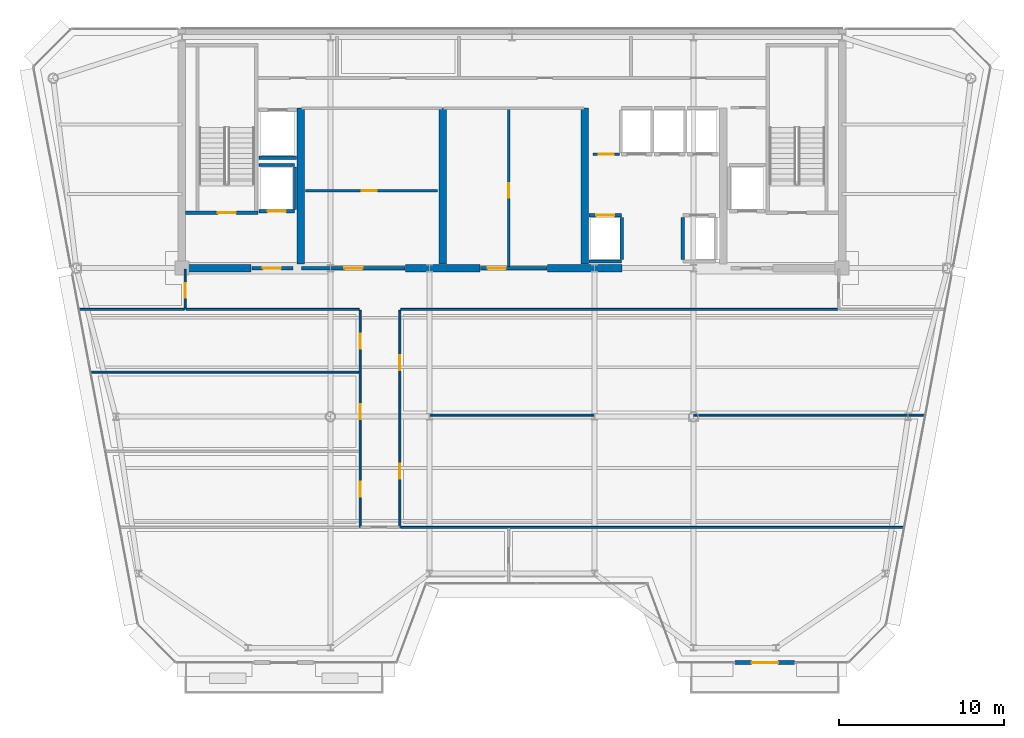
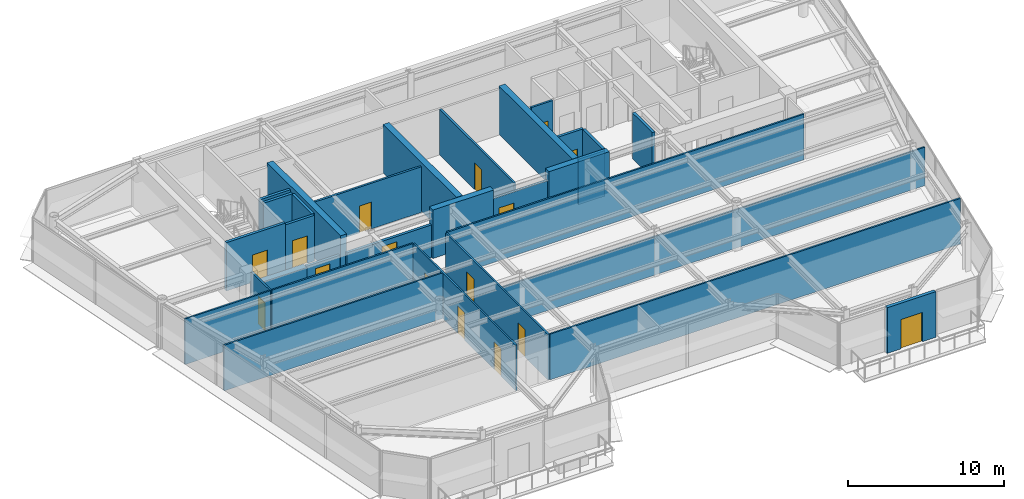
# One storey, part 11 of 20: 31 walls, 16 doors, 16 openings.
"""IFC4 building model written with IfcOpenShell, lengths in metres."""

from ifc_helpers import new_model, si_unit, direction, frame, frame_2d, origin, place, context, subcontext, project, spatial, rectangle, extrude, source, transform, mapped, material, layer, layer_set, type_object, element, fill, save


model = new_model("IFC4")

# Units and contexts
model_context = context("Model", 3, precision=1e-05, world=origin(), true_north=direction((0.0, 1.0)))
body_context = subcontext(model_context, "Body", "Model", "MODEL_VIEW")
ifc_project = project(units=[si_unit("LENGTHUNIT", "METRE"), si_unit("AREAUNIT", "SQUARE_METRE"), si_unit("VOLUMEUNIT", "CUBIC_METRE"), si_unit("PLANEANGLEUNIT", "RADIAN"), si_unit("MASSUNIT", "GRAM", prefix="KILO")], contexts=[model_context])

# Site, building, storey
site_placement = place(None, origin())
site = spatial("IfcSite", under=ifc_project, at=site_placement, CompositionType="ELEMENT")
building_placement = place(site_placement, origin())
building = spatial("IfcBuilding", under=site, at=building_placement, Name="Vaeldorn Concourse Tower", CompositionType="ELEMENT")
storey_placement = place(building_placement, frame((0.0, 0.0, 268.800048828125)))
storey = spatial("IfcBuildingStorey", under=building, at=storey_placement, Name="L69", CompositionType="ELEMENT", Elevation=268.800048828125)

# Walls
ifc_material_1 = material(Name="Concrete C50/60", Category="concrete")
ifc_layer_1 = layer(ifc_material_1, 0.449951171875)
ifc_layer_set_1 = layer_set([ifc_layer_1], Name="Concrete C50/60")
wall_type_1 = type_object("IfcWallType", Name="WL-CORE-450", PredefinedType="SHEAR", material=ifc_layer_set_1)
wall_1_placement = place(storey_placement, frame((14.2451171875, 36.5, 0.0), z_axis=(0.0, 0.0, 1.0), x_axis=(1.0, 0.0, 0.0)))
element("IfcWall", 1, at=wall_1_placement, inside=storey, type_object=wall_type_1, Name="Rear Core Shear Wall L69 S1", PredefinedType="SHEAR", context=body_context, shape_type="SweptSolid", body=[
    extrude(rectangle(XDim=3.954833984375, YDim=0.449951171875, at=frame_2d((1.9775390625, 0.0))), origin(), (0.0, 0.0, 1.0), 2.579833984375),
])
for number, where, z_axis, x_axis, name in (
    (2, (27.550048828125, 36.5, 0.0), (0.0, 0.0, 1.0), (1.0, 0.0, 0.0), "Rear Core Shear Wall L69 S2"),
    (3, (36.14990234375, 36.5, 0.0), (0.0, 0.0, 1.0), (1.0, 0.0, 0.0), "Rear Core Shear Wall L69 S3"),
):
    element("IfcWall", number, at=place(storey_placement, frame(where, z_axis=z_axis, x_axis=x_axis)), inside=storey, type_object=wall_type_1, Name=name, PredefinedType="SHEAR", context=body_context, shape_type="SweptSolid", body=[
        extrude(rectangle(XDim=4.5, YDim=0.449951171875, at=frame_2d((2.25, 0.0))), origin(), (0.0, 0.0, 1.0), 3.800048828125),
    ])
for number, where, z_axis, x_axis, name in (
    (4, (21.199951171875, 36.7451171875, 0.0), (0.0, 0.0, 1.0), (0.0, 1.0, 0.0), "Rear Core Shear Wall L69 M1"),
    (5, (29.800048828125, 36.7451171875, 0.0), (0.0, 0.0, 1.0), (0.0, 1.0, 0.0), "Rear Core Shear Wall L69 M2"),
    (6, (38.39990234375, 36.7451171875, 0.0), (0.0, 0.0, 1.0), (0.0, 1.0, 0.0), "Rear Core Shear Wall L69 M3"),
):
    element("IfcWall", number, at=place(storey_placement, frame(where, z_axis=z_axis, x_axis=x_axis)), inside=storey, type_object=wall_type_1, Name=name, PredefinedType="SHEAR", context=body_context, shape_type="SweptSolid", body=[
        extrude(rectangle(XDim=9.454833984375, YDim=0.449951171875, at=frame_2d((4.7275390625, 0.0))), origin(), (0.0, 0.0, 1.0), 3.800048828125),
    ])

# Wall, opening, door
ifc_material_2 = material(Name="Precast concrete C40/50", Category="concrete")
ifc_layer_2 = layer(ifc_material_2, 0.25)
ifc_layer_set_2 = layer_set([ifc_layer_2], Name="Precast concrete C40/50")
wall_type_2 = type_object("IfcWallType", Name="WL-EXT-TERRACE-250", PredefinedType="STANDARD", material=ifc_layer_set_2)
wall_2_placement = place(storey_placement, frame((51.1201171875, 12.60009765625, 0.0), z_axis=(0.0, 0.0, 1.0), x_axis=(-1.0, 0.0, 0.0)))
wall_2 = element("IfcWall", 7, at=wall_2_placement, inside=storey, type_object=wall_type_2, Name="Sawtooth Sky Garden Portal Wall L69-2", PredefinedType="STANDARD", context=body_context, shape_type="SweptSolid", body=[
    extrude(rectangle(XDim=3.60009765625, YDim=0.25, at=frame_2d((1.800048828125, 0.0))), origin(), (0.0, 0.0, 1.0), 3.579833984375),
])
opening_1_placement = place(wall_2_placement, frame((1.0, 0.0, 0.0)))
opening_1 = element("IfcOpeningElement", 8, at=opening_1_placement, cuts=wall_2, Name="Opening DG-1", PredefinedType="OPENING", context=body_context, shape_type="SweptSolid", body=[
    extrude(rectangle(XDim=1.60009765625, YDim=2.300048828125, at=frame_2d((0.800048828125, 1.14990234375))), frame((0.0, 0.135009765625, 0.0), z_axis=(0.0, -1.0, 0.0), x_axis=(1.0, 0.0, 0.0)), (0.0, 0.0, 1.0), 0.27001953125),
])
ifc_material_3 = material(Name="Anodised Bronze Aluminium", Category="aluminium")
door_type_1 = type_object("IfcDoorType", Name="DR-EXTERNAL-1600", OperationType="DOUBLE_DOOR_SINGLE_SWING", PredefinedType="DOOR", material=ifc_material_3)
shared_shape_1 = source(origin(), body_context, "Body", "SweptSolid", [
    extrude(rectangle(XDim=1.60009765625, YDim=2.300048828125, at=frame_2d((0.800048828125, 1.14990234375))), frame((0.0, 0.02490234375, 0.0), z_axis=(0.0, -1.0, 0.0), x_axis=(1.0, 0.0, 0.0)), (0.0, 0.0, 1.0), 0.050048828125),
])
door_1_placement = place(opening_1_placement, origin())
door_1 = element("IfcDoor", 9, at=door_1_placement, inside=storey, type_object=door_type_1, Name="Sawtooth Sky Garden Terrace Door L69-2", OperationType="DOUBLE_DOOR_SINGLE_SWING", OverallHeight=2.300048828125, OverallWidth=1.60009765625, PredefinedType="DOOR", context=body_context, shape_type="MappedRepresentation", body=[
    mapped(shared_shape_1, transform((0.0, 0.0, 0.0), scale=1.0)),
])
fill(opening_1, door_1)

# Walls
ifc_material_4 = material(Name="Gypsum Board Partition", Category="gypsum")
ifc_layer_3 = layer(ifc_material_4, 0.1201171875)
ifc_layer_set_3 = layer_set([ifc_layer_3], Name="Gypsum Board Partition")
wall_type_3 = type_object("IfcWallType", Name="WL-PART-120", PredefinedType="PARTITIONING", material=ifc_layer_set_3)
wall_3_placement = place(storey_placement, frame((14.260009765625, 34.0, 0.0), z_axis=(0.0, 0.0, 1.0), x_axis=(1.0, 0.0, 0.0)))
element("IfcWall", 10, at=wall_3_placement, inside=storey, type_object=wall_type_3, Name="Interior Wall PW-L69-C3SW", PredefinedType="PARTITIONING", context=body_context, shape_type="SweptSolid", body=[
    extrude(rectangle(XDim=10.47998046875, YDim=0.1201171875, at=frame_2d((5.239990234375, 0.0))), origin(), (0.0, 0.0, 1.0), 3.579833984375),
])
wall_4_placement = place(storey_placement, frame((27.260009765625, 34.0, 0.0), z_axis=(0.0, 0.0, 1.0), x_axis=(1.0, 0.0, 0.0)))
element("IfcWall", 11, at=wall_4_placement, inside=storey, type_object=wall_type_3, Name="Interior Wall PW-L69-C3SE", PredefinedType="PARTITIONING", context=body_context, shape_type="SweptSolid", body=[
    extrude(rectangle(XDim=26.47998046875, YDim=0.1201171875, at=frame_2d((13.239990234375, 0.0))), origin(), (0.0, 0.0, 1.0), 3.579833984375),
])

# Wall, opening, door
wall_5_placement = place(storey_placement, frame((14.199951171875, 34.0, 0.0), z_axis=(0.0, 0.0, 1.0), x_axis=(0.0, 1.0, 0.0)))
wall_5 = element("IfcWall", 12, at=wall_5_placement, inside=storey, type_object=wall_type_3, Name="Interior Wall PW-L69-C3W", PredefinedType="PARTITIONING", context=body_context, shape_type="SweptSolid", body=[
    extrude(rectangle(XDim=2.43994140625, YDim=0.1201171875, at=frame_2d((1.219970703125, 0.0))), origin(), (0.0, 0.0, 1.0), 3.579833984375),
])
opening_2_placement = place(wall_5_placement, frame((0.699951171875, 0.0, 0.0)))
opening_2 = element("IfcOpeningElement", 13, at=opening_2_placement, cuts=wall_5, Name="Opening D-03", PredefinedType="OPENING", context=body_context, shape_type="SweptSolid", body=[
    extrude(rectangle(XDim=0.89990234375, YDim=2.14990234375, at=frame_2d((0.449951171875, 1.074951171875))), frame((0.0, 0.070068359375, 0.0), z_axis=(0.0, -1.0, 0.0), x_axis=(1.0, 0.0, 0.0)), (0.0, 0.0, 1.0), 0.14013671875),
])
ifc_material_5 = material(Name="Acoustic Bronze-Framed Glass Door", Category="glass")
door_type_2 = type_object("IfcDoorType", Name="DR-INT-900", OperationType="NOTDEFINED", PredefinedType="DOOR", material=ifc_material_5)
shared_shape_2 = source(origin(), body_context, "Body", "SweptSolid", [
    extrude(rectangle(XDim=0.89990234375, YDim=2.14990234375, at=frame_2d((0.449951171875, 1.074951171875))), frame((0.0, 0.02490234375, 0.0), z_axis=(0.0, -1.0, 0.0), x_axis=(1.0, 0.0, 0.0)), (0.0, 0.0, 1.0), 0.050048828125),
])
door_2_placement = place(opening_2_placement, origin())
door_2 = element("IfcDoor", 14, at=door_2_placement, inside=storey, type_object=door_type_2, Name="Interior Door DR-L69-Z3NW", OperationType="SINGLE_SWING_LEFT", OverallHeight=2.14990234375, OverallWidth=0.89990234375, PredefinedType="DOOR", context=body_context, shape_type="MappedRepresentation", body=[
    mapped(shared_shape_2, transform((0.0, 0.0, 0.0), scale=1.0)),
])
fill(opening_2, door_2)

# Wall, openings, doors
wall_6_placement = place(storey_placement, frame((24.800048828125, 20.800048828125, 0.0), z_axis=(0.0, 0.0, 1.0), x_axis=(0.0, 1.0, 0.0)))
wall_6 = element("IfcWall", 15, at=wall_6_placement, inside=storey, type_object=wall_type_3, Name="Interior Wall PW-L69-CSPW", PredefinedType="PARTITIONING", context=body_context, shape_type="SweptSolid", body=[
    extrude(rectangle(XDim=13.139892578125, YDim=0.1201171875, at=frame_2d((6.56982421875, 0.0))), origin(), (0.0, 0.0, 1.0), 3.579833984375),
])
opening_3_placement = place(wall_6_placement, frame((1.85009765625, 0.0, 0.0)))
opening_3 = element("IfcOpeningElement", 16, at=opening_3_placement, cuts=wall_6, Name="Opening D-03", PredefinedType="OPENING", context=body_context, shape_type="SweptSolid", body=[
    extrude(rectangle(XDim=0.89990234375, YDim=2.14990234375, at=frame_2d((0.449951171875, 1.074951171875))), frame((0.0, 0.070068359375, 0.0), z_axis=(0.0, -1.0, 0.0), x_axis=(1.0, 0.0, 0.0)), (0.0, 0.0, 1.0), 0.14013671875),
])
opening_4_placement = place(wall_6_placement, frame((6.550048828125, 0.0, 0.0)))
opening_4 = element("IfcOpeningElement", 17, at=opening_4_placement, cuts=wall_6, Name="Opening D-03", PredefinedType="OPENING", context=body_context, shape_type="SweptSolid", body=[
    extrude(rectangle(XDim=0.89990234375, YDim=2.14990234375, at=frame_2d((0.449951171875, 1.074951171875))), frame((0.0, 0.070068359375, 0.0), z_axis=(0.0, -1.0, 0.0), x_axis=(1.0, 0.0, 0.0)), (0.0, 0.0, 1.0), 0.14013671875),
])
opening_5_placement = place(wall_6_placement, frame((10.820068359375, 0.0, 0.0)))
opening_5 = element("IfcOpeningElement", 18, at=opening_5_placement, cuts=wall_6, Name="Opening D-03", PredefinedType="OPENING", context=body_context, shape_type="SweptSolid", body=[
    extrude(rectangle(XDim=0.89990234375, YDim=2.14990234375, at=frame_2d((0.449951171875, 1.074951171875))), frame((0.0, 0.070068359375, 0.0), z_axis=(0.0, -1.0, 0.0), x_axis=(1.0, 0.0, 0.0)), (0.0, 0.0, 1.0), 0.14013671875),
])
door_3_placement = place(opening_3_placement, origin())
door_3 = element("IfcDoor", 19, at=door_3_placement, inside=storey, type_object=door_type_2, Name="Interior Door DR-L69-Z3W1", OperationType="SINGLE_SWING_LEFT", OverallHeight=2.14990234375, OverallWidth=0.89990234375, PredefinedType="DOOR", context=body_context, shape_type="MappedRepresentation", body=[
    mapped(shared_shape_2, transform((0.0, 0.0, 0.0), scale=1.0)),
])
fill(opening_3, door_3)
door_4_placement = place(opening_4_placement, origin())
door_4 = element("IfcDoor", 20, at=door_4_placement, inside=storey, type_object=door_type_2, Name="Interior Door DR-L69-Z3W2", OperationType="SINGLE_SWING_RIGHT", OverallHeight=2.14990234375, OverallWidth=0.89990234375, PredefinedType="DOOR", context=body_context, shape_type="MappedRepresentation", body=[
    mapped(shared_shape_2, transform((0.0, 0.0, 0.0), scale=1.0)),
])
fill(opening_4, door_4)
door_5_placement = place(opening_5_placement, origin())
door_5 = element("IfcDoor", 21, at=door_5_placement, inside=storey, type_object=door_type_2, Name="Interior Door DR-L69-Z3W3", OperationType="SINGLE_SWING_LEFT", OverallHeight=2.14990234375, OverallWidth=0.89990234375, PredefinedType="DOOR", context=body_context, shape_type="MappedRepresentation", body=[
    mapped(shared_shape_2, transform((0.0, 0.0, 0.0), scale=1.0)),
])
fill(opening_5, door_5)

wall_7_placement = place(storey_placement, frame((27.199951171875, 20.800048828125, 0.0), z_axis=(0.0, 0.0, 1.0), x_axis=(0.0, 1.0, 0.0)))
wall_7 = element("IfcWall", 22, at=wall_7_placement, inside=storey, type_object=wall_type_3, Name="Interior Wall PW-L69-CSPE", PredefinedType="PARTITIONING", context=body_context, shape_type="SweptSolid", body=[
    extrude(rectangle(XDim=13.139892578125, YDim=0.1201171875, at=frame_2d((6.56982421875, 0.0))), origin(), (0.0, 0.0, 1.0), 3.579833984375),
])
opening_6_placement = place(wall_7_placement, frame((2.949951171875, 0.0, 0.0)))
opening_6 = element("IfcOpeningElement", 23, at=opening_6_placement, cuts=wall_7, Name="Opening D-03", PredefinedType="OPENING", context=body_context, shape_type="SweptSolid", body=[
    extrude(rectangle(XDim=0.89990234375, YDim=2.14990234375, at=frame_2d((0.449951171875, 1.074951171875))), frame((0.0, 0.070068359375, 0.0), z_axis=(0.0, -1.0, 0.0), x_axis=(1.0, 0.0, 0.0)), (0.0, 0.0, 1.0), 0.14013671875),
])
opening_7_placement = place(wall_7_placement, frame((9.52001953125, 0.0, 0.0)))
opening_7 = element("IfcOpeningElement", 24, at=opening_7_placement, cuts=wall_7, Name="Opening D-03", PredefinedType="OPENING", context=body_context, shape_type="SweptSolid", body=[
    extrude(rectangle(XDim=0.89990234375, YDim=2.14990234375, at=frame_2d((0.449951171875, 1.074951171875))), frame((0.0, 0.070068359375, 0.0), z_axis=(0.0, -1.0, 0.0), x_axis=(1.0, 0.0, 0.0)), (0.0, 0.0, 1.0), 0.14013671875),
])
door_6_placement = place(opening_6_placement, origin())
door_6 = element("IfcDoor", 25, at=door_6_placement, inside=storey, type_object=door_type_2, Name="Interior Door DR-L69-Z3E1", OperationType="SINGLE_SWING_RIGHT", OverallHeight=2.14990234375, OverallWidth=0.89990234375, PredefinedType="DOOR", context=body_context, shape_type="MappedRepresentation", body=[
    mapped(shared_shape_2, transform((0.0, 0.0, 0.0), scale=1.0)),
])
fill(opening_6, door_6)
door_7_placement = place(opening_7_placement, origin())
door_7 = element("IfcDoor", 26, at=door_7_placement, inside=storey, type_object=door_type_2, Name="Interior Door DR-L69-Z3E2", OperationType="SINGLE_SWING_LEFT", OverallHeight=2.14990234375, OverallWidth=0.89990234375, PredefinedType="DOOR", context=body_context, shape_type="MappedRepresentation", body=[
    mapped(shared_shape_2, transform((0.0, 0.0, 0.0), scale=1.0)),
])
fill(opening_7, door_7)

# Walls
wall_8_placement = place(storey_placement, frame((7.795654296875, 34.0, 0.0), z_axis=(0.0, 0.0, 1.0), x_axis=(1.0, 0.0, 0.0)))
element("IfcWall", 27, at=wall_8_placement, inside=storey, type_object=wall_type_3, Name="Interior Wall PW-L69-Z3NWB", PredefinedType="PARTITIONING", context=body_context, shape_type="SweptSolid", body=[
    extrude(rectangle(XDim=6.34423828125, YDim=0.1201171875, at=frame_2d((3.172119140625, 0.0))), origin(), (0.0, 0.0, 1.0), 3.579833984375),
])
wall_9_placement = place(storey_placement, frame((8.5078125, 30.199951171875, 0.0), z_axis=(0.0, 0.0, 1.0), x_axis=(1.0, 0.0, 0.0)))
element("IfcWall", 28, at=wall_9_placement, inside=storey, type_object=wall_type_3, Name="Interior Wall PW-L69-Z3WY2", PredefinedType="PARTITIONING", context=body_context, shape_type="SweptSolid", body=[
    extrude(rectangle(XDim=16.232177734375, YDim=0.1201171875, at=frame_2d((8.1162109375, 0.0))), origin(), (0.0, 0.0, 1.0), 3.579833984375),
])
wall_10_placement = place(storey_placement, frame((27.260009765625, 27.60009765625, 0.0), z_axis=(0.0, 0.0, 1.0), x_axis=(1.0, 0.0, 0.0)))
element("IfcWall", 29, at=wall_10_placement, inside=storey, type_object=wall_type_3, Name="Interior Wall PW-L69-Z3EY1", PredefinedType="PARTITIONING", context=body_context, shape_type="SweptSolid", body=[
    extrude(rectangle(XDim=31.74462890625, YDim=0.1201171875, at=frame_2d((15.872314453125, 0.0))), origin(), (0.0, 0.0, 1.0), 3.02001953125),
])
wall_11_placement = place(storey_placement, frame((27.260009765625, 20.800048828125, 0.0), z_axis=(0.0, 0.0, 1.0), x_axis=(1.0, 0.0, 0.0)))
element("IfcWall", 30, at=wall_11_placement, inside=storey, type_object=wall_type_3, Name="Interior Wall PW-L69-Z3SEL", PredefinedType="PARTITIONING", context=body_context, shape_type="SweptSolid", body=[
    extrude(rectangle(XDim=30.469970703125, YDim=0.1201171875, at=frame_2d((15.23486328125, 0.0))), origin(), (0.0, 0.0, 1.0), 3.579833984375),
])

# Wall, opening, door
ifc_layer_4 = layer(ifc_material_4, 0.14990234375)
ifc_layer_set_4 = layer_set([ifc_layer_4], Name="Gypsum Board Partition")
wall_type_4 = type_object("IfcWallType", Name="WL-PART-150", PredefinedType="PARTITIONING", material=ifc_layer_set_4)
wall_12_placement = place(storey_placement, frame((21.5, 41.199951171875, 0.0), z_axis=(0.0, 0.0, 1.0), x_axis=(1.0, 0.0, 0.0)))
wall_12 = element("IfcWall", 31, at=wall_12_placement, inside=storey, type_object=wall_type_4, Name="Interior Wall CW-L69-R1M", PredefinedType="PARTITIONING", context=body_context, shape_type="SweptSolid", body=[
    extrude(rectangle(XDim=8.0, YDim=0.14990234375, at=frame_2d((4.0, 0.0))), origin(), (0.0, 0.0, 1.0), 3.579833984375),
])
opening_8_placement = place(wall_12_placement, frame((3.39990234375, 0.0, 0.0)))
opening_8 = element("IfcOpeningElement", 32, at=opening_8_placement, cuts=wall_12, Name="Opening D-02", PredefinedType="OPENING", context=body_context, shape_type="SweptSolid", body=[
    extrude(rectangle(XDim=0.89990234375, YDim=2.10009765625, at=frame_2d((0.449951171875, 1.050048828125))), frame((0.0, 0.0849609375, 0.0), z_axis=(0.0, -1.0, 0.0), x_axis=(1.0, 0.0, 0.0)), (0.0, 0.0, 1.0), 0.169921875),
])
ifc_material_6 = material(Name="Fire-Rated Timber Leaf", Category="wood")
door_type_3 = type_object("IfcDoorType", Name="DR-FD30-900", OperationType="NOTDEFINED", PredefinedType="DOOR", material=ifc_material_6)
shared_shape_3 = source(origin(), body_context, "Body", "SweptSolid", [
    extrude(rectangle(XDim=0.89990234375, YDim=2.10009765625, at=frame_2d((0.449951171875, 1.050048828125))), frame((0.0, 0.02490234375, 0.0), z_axis=(0.0, -1.0, 0.0), x_axis=(1.0, 0.0, 0.0)), (0.0, 0.0, 1.0), 0.050048828125),
])
door_8_placement = place(opening_8_placement, origin())
door_8 = element("IfcDoor", 33, at=door_8_placement, inside=storey, type_object=door_type_3, Name="Interior Door DR-L69-R1M", OperationType="SINGLE_SWING_RIGHT", OverallHeight=2.10009765625, OverallWidth=0.89990234375, PredefinedType="DOOR", context=body_context, shape_type="MappedRepresentation", body=[
    mapped(shared_shape_3, transform((0.0, 0.0, 0.0), scale=1.0)),
])
fill(opening_8, door_8)

wall_13_placement = place(storey_placement, frame((33.800048828125, 36.56005859375, 0.0), z_axis=(0.0, 0.0, 1.0), x_axis=(0.0, 1.0, 0.0)))
wall_13 = element("IfcWall", 34, at=wall_13_placement, inside=storey, type_object=wall_type_4, Name="Interior Wall CW-L69-R2M", PredefinedType="PARTITIONING", context=body_context, shape_type="SweptSolid", body=[
    extrude(rectangle(XDim=9.579833984375, YDim=0.14990234375, at=frame_2d((4.7900390625, 0.0))), origin(), (0.0, 0.0, 1.0), 3.579833984375),
])
opening_9_placement = place(wall_13_placement, frame((4.199951171875, 0.0, 0.0)))
opening_9 = element("IfcOpeningElement", 35, at=opening_9_placement, cuts=wall_13, Name="Opening D-02", PredefinedType="OPENING", context=body_context, shape_type="SweptSolid", body=[
    extrude(rectangle(XDim=0.89990234375, YDim=2.10009765625, at=frame_2d((0.449951171875, 1.050048828125))), frame((0.0, 0.0849609375, 0.0), z_axis=(0.0, -1.0, 0.0), x_axis=(1.0, 0.0, 0.0)), (0.0, 0.0, 1.0), 0.169921875),
])
door_9_placement = place(opening_9_placement, origin())
door_9 = element("IfcDoor", 36, at=door_9_placement, inside=storey, type_object=door_type_3, Name="Interior Door DR-L69-R2E", OperationType="SINGLE_SWING_RIGHT", OverallHeight=2.10009765625, OverallWidth=0.89990234375, PredefinedType="DOOR", context=body_context, shape_type="MappedRepresentation", body=[
    mapped(shared_shape_3, transform((0.0, 0.0, 0.0), scale=1.0)),
])
fill(opening_9, door_9)

wall_14_placement = place(storey_placement, frame((38.919921875, 43.39990234375, 0.0), z_axis=(0.0, 0.0, 1.0), x_axis=(1.0, 0.0, 0.0)))
wall_14 = element("IfcWall", 37, at=wall_14_placement, inside=storey, type_object=wall_type_4, Name="Interior Wall CW-L69-CCLINK", PredefinedType="PARTITIONING", context=body_context, shape_type="SweptSolid", body=[
    extrude(rectangle(XDim=1.60009765625, YDim=0.14990234375, at=frame_2d((0.800048828125, 0.0))), origin(), (0.0, 0.0, 1.0), 3.579833984375),
])
opening_10_placement = place(wall_14_placement, frame((0.35009765625, 0.0, 0.0)))
opening_10 = element("IfcOpeningElement", 38, at=opening_10_placement, cuts=wall_14, Name="Opening D-02", PredefinedType="OPENING", context=body_context, shape_type="SweptSolid", body=[
    extrude(rectangle(XDim=0.89990234375, YDim=2.10009765625, at=frame_2d((0.449951171875, 1.050048828125))), frame((0.0, 0.0849609375, 0.0), z_axis=(0.0, -1.0, 0.0), x_axis=(1.0, 0.0, 0.0)), (0.0, 0.0, 1.0), 0.169921875),
])
door_10_placement = place(opening_10_placement, origin())
door_10 = element("IfcDoor", 39, at=door_10_placement, inside=storey, type_object=door_type_3, Name="Interior Door DR-L69-CCLINK", OperationType="SINGLE_SWING_LEFT", OverallHeight=2.10009765625, OverallWidth=0.89990234375, PredefinedType="DOOR", context=body_context, shape_type="MappedRepresentation", body=[
    mapped(shared_shape_3, transform((0.0, 0.0, 0.0), scale=1.0)),
])
fill(opening_10, door_10)

ifc_layer_5 = layer(ifc_material_1, 0.199951171875)
ifc_layer_set_5 = layer_set([ifc_layer_5], Name="Concrete C50/60")
wall_type_5 = type_object("IfcWallType", Name="WL-SHAFT-200", PredefinedType="SOLIDWALL", material=ifc_layer_set_5)
wall_15_placement = place(storey_placement, frame((14.22509765625, 39.85009765625, 0.0), z_axis=(0.0, 0.0, 1.0), x_axis=(1.0, 0.0, 0.0)))
wall_15 = element("IfcWall", 40, at=wall_15_placement, inside=storey, type_object=wall_type_5, Name="Stair Shaft Wall CW-L69-ST-1-S", PredefinedType="SOLIDWALL", context=body_context, shape_type="SweptSolid", body=[
    extrude(rectangle(XDim=4.375, YDim=0.199951171875, at=frame_2d((2.1875, 0.0))), origin(), (0.0, 0.0, 1.0), 3.800048828125),
])
opening_11_placement = place(wall_15_placement, frame((1.949951171875, 0.0, 0.0)))
opening_11 = element("IfcOpeningElement", 41, at=opening_11_placement, cuts=wall_15, Name="Opening D-01", PredefinedType="OPENING", context=body_context, shape_type="SweptSolid", body=[
    extrude(rectangle(XDim=1.10009765625, YDim=2.14990234375, at=frame_2d((0.550048828125, 1.074951171875))), frame((0.0, 0.10986328125, 0.0), z_axis=(0.0, -1.0, 0.0), x_axis=(1.0, 0.0, 0.0)), (0.0, 0.0, 1.0), 0.219970703125),
])
ifc_material_7 = material(Name="Fire-Rated Timber and Steel Leaf", Category="steel")
door_type_4 = type_object("IfcDoorType", Name="DR-FD60-1100", OperationType="NOTDEFINED", PredefinedType="DOOR", material=ifc_material_7)
shared_shape_4 = source(origin(), body_context, "Body", "SweptSolid", [
    extrude(rectangle(XDim=1.10009765625, YDim=2.14990234375, at=frame_2d((0.550048828125, 1.074951171875))), frame((0.0, 0.02490234375, 0.0), z_axis=(0.0, -1.0, 0.0), x_axis=(1.0, 0.0, 0.0)), (0.0, 0.0, 1.0), 0.050048828125),
])
door_11_placement = place(opening_11_placement, origin())
door_11 = element("IfcDoor", 42, at=door_11_placement, inside=storey, type_object=door_type_4, Name="Interior Door DR-L69-ST-1", OperationType="SINGLE_SWING_LEFT", OverallHeight=2.14990234375, OverallWidth=1.10009765625, PredefinedType="DOOR", context=body_context, shape_type="MappedRepresentation", body=[
    mapped(shared_shape_4, transform((0.0, 0.0, 0.0), scale=1.0)),
])
fill(opening_11, door_11)

wall_16_placement = place(storey_placement, frame((18.25, 36.5, 0.0), z_axis=(0.0, 0.0, 1.0), x_axis=(1.0, 0.0, 0.0)))
wall_16 = element("IfcWall", 43, at=wall_16_placement, inside=storey, type_object=wall_type_5, Name="Interior Wall CW-L69-FF1S", PredefinedType="SOLIDWALL", context=body_context, shape_type="SweptSolid", body=[
    extrude(rectangle(XDim=2.469970703125, YDim=0.199951171875, at=frame_2d((1.23486328125, 0.0))), origin(), (0.0, 0.0, 1.0), 2.570068359375),
])
opening_12_placement = place(wall_16_placement, frame((0.64990234375, 0.0, 0.0)))
opening_12 = element("IfcOpeningElement", 44, at=opening_12_placement, cuts=wall_16, Name="Opening D-01", PredefinedType="OPENING", context=body_context, shape_type="SweptSolid", body=[
    extrude(rectangle(XDim=1.10009765625, YDim=2.14990234375, at=frame_2d((0.550048828125, 1.074951171875))), frame((0.0, 0.10986328125, 0.0), z_axis=(0.0, -1.0, 0.0), x_axis=(1.0, 0.0, 0.0)), (0.0, 0.0, 1.0), 0.219970703125),
])
door_12_placement = place(opening_12_placement, origin())
door_12 = element("IfcDoor", 45, at=door_12_placement, inside=storey, type_object=door_type_4, Name="Interior Door DR-L69-FF1E", OperationType="SINGLE_SWING_RIGHT", OverallHeight=2.14990234375, OverallWidth=1.10009765625, PredefinedType="DOOR", context=body_context, shape_type="MappedRepresentation", body=[
    mapped(shared_shape_4, transform((0.0, 0.0, 0.0), scale=1.0)),
])
fill(opening_12, door_12)

wall_17_placement = place(storey_placement, frame((38.669921875, 39.699951171875, 0.0), z_axis=(0.0, 0.0, 1.0), x_axis=(1.0, 0.0, 0.0)))
wall_17 = element("IfcWall", 46, at=wall_17_placement, inside=storey, type_object=wall_type_5, Name="Interior Wall CW-L69-LF-LF-13", PredefinedType="SOLIDWALL", context=body_context, shape_type="SweptSolid", body=[
    extrude(rectangle(XDim=1.9599609375, YDim=0.199951171875, at=frame_2d((0.97998046875, 0.0))), origin(), (0.0, 0.0, 1.0), 3.579833984375),
])
opening_13_placement = place(wall_17_placement, frame((0.429931640625, 0.0, 0.0)))
opening_13 = element("IfcOpeningElement", 47, at=opening_13_placement, cuts=wall_17, Name="Opening LD-1", PredefinedType="OPENING", context=body_context, shape_type="SweptSolid", body=[
    extrude(rectangle(XDim=1.10009765625, YDim=2.14990234375, at=frame_2d((0.550048828125, 1.074951171875))), frame((0.0, 0.10986328125, 0.0), z_axis=(0.0, -1.0, 0.0), x_axis=(1.0, 0.0, 0.0)), (0.0, 0.0, 1.0), 0.219970703125),
])
door_type_5 = type_object("IfcDoorType", Name="DR-LIFT-SLIDE-1100", OperationType="DOUBLE_DOOR_SLIDING", PredefinedType="DOOR", material=ifc_material_3)
door_13_placement = place(opening_13_placement, origin())
door_13 = element("IfcDoor", 48, at=door_13_placement, inside=storey, type_object=door_type_5, Name="Lift Landing Door LD-L69-LF-13", OperationType="DOUBLE_DOOR_SLIDING", OverallHeight=2.14990234375, OverallWidth=1.10009765625, PredefinedType="DOOR", context=body_context, shape_type="MappedRepresentation", body=[
    mapped(shared_shape_4, transform((0.0, 0.0, 0.0), scale=1.0)),
])
fill(opening_13, door_13)

# Walls
wall_18_placement = place(storey_placement, frame((38.669921875, 36.89990234375, 0.0), z_axis=(0.0, 0.0, 1.0), x_axis=(1.0, 0.0, 0.0)))
element("IfcWall", 49, at=wall_18_placement, inside=storey, type_object=wall_type_5, Name="Interior Wall CW-L69-LFB-LF-13", PredefinedType="SOLIDWALL", context=body_context, shape_type="SweptSolid", body=[
    extrude(rectangle(XDim=1.9599609375, YDim=0.199951171875, at=frame_2d((0.97998046875, 0.0))), origin(), (0.0, 0.0, 1.0), 3.579833984375),
])
for number, where, z_axis, x_axis, name in (
    (50, (40.64990234375, 37.02001953125, 0.0), (0.0, 0.0, 1.0), (0.0, 1.0, 0.0), "Interior Wall CW-L69-LFE-LF-13"),
    (51, (44.35009765625, 37.02001953125, 0.0), (0.0, 0.0, 1.0), (0.0, 1.0, 0.0), "Interior Wall CW-L69-LFW-LF-14"),
):
    element("IfcWall", number, at=place(storey_placement, frame(where, z_axis=z_axis, x_axis=x_axis)), inside=storey, type_object=wall_type_5, Name=name, PredefinedType="SOLIDWALL", context=body_context, shape_type="SweptSolid", body=[
        extrude(rectangle(XDim=2.56005859375, YDim=0.199951171875, at=frame_2d((1.280029296875, 0.0))), origin(), (0.0, 0.0, 1.0), 3.579833984375),
    ])
wall_19_placement = place(storey_placement, frame((18.669921875, 43.199951171875, 0.0), z_axis=(0.0, 0.0, 1.0), x_axis=(1.0, 0.0, 0.0)))
element("IfcWall", 52, at=wall_19_placement, inside=storey, type_object=wall_type_5, Name="Interior Wall CW-L69-LFB-LF-SV1", PredefinedType="SOLIDWALL", context=body_context, shape_type="SweptSolid", body=[
    extrude(rectangle(XDim=2.260009765625, YDim=0.199951171875, at=frame_2d((1.1298828125, 0.0))), origin(), (0.0, 0.0, 1.0), 3.579833984375),
])

# Wall, opening, door
wall_20_placement = place(storey_placement, frame((18.669921875, 39.949951171875, 0.0), z_axis=(0.0, 0.0, 1.0), x_axis=(1.0, 0.0, 0.0)))
wall_20 = element("IfcWall", 53, at=wall_20_placement, inside=storey, type_object=wall_type_5, Name="Interior Wall CW-L69-LF-LF-FF1", PredefinedType="SOLIDWALL", context=body_context, shape_type="SweptSolid", body=[
    extrude(rectangle(XDim=2.16015625, YDim=0.199951171875, at=frame_2d((1.080078125, 0.0))), origin(), (0.0, 0.0, 1.0), 3.579833984375),
])
opening_14_placement = place(wall_20_placement, frame((0.530029296875, 0.0, 0.0)))
opening_14 = element("IfcOpeningElement", 54, at=opening_14_placement, cuts=wall_20, Name="Opening LD-1", PredefinedType="OPENING", context=body_context, shape_type="SweptSolid", body=[
    extrude(rectangle(XDim=1.10009765625, YDim=2.14990234375, at=frame_2d((0.550048828125, 1.074951171875))), frame((0.0, 0.10986328125, 0.0), z_axis=(0.0, -1.0, 0.0), x_axis=(1.0, 0.0, 0.0)), (0.0, 0.0, 1.0), 0.219970703125),
])
door_14_placement = place(opening_14_placement, origin())
door_14 = element("IfcDoor", 55, at=door_14_placement, inside=storey, type_object=door_type_5, Name="Lift Landing Door LD-L69-LF-FF1", OperationType="DOUBLE_DOOR_SLIDING", OverallHeight=2.14990234375, OverallWidth=1.10009765625, PredefinedType="DOOR", context=body_context, shape_type="MappedRepresentation", body=[
    mapped(shared_shape_4, transform((0.0, 0.0, 0.0), scale=1.0)),
])
fill(opening_14, door_14)

# Walls
wall_21_placement = place(storey_placement, frame((18.669921875, 42.75, 0.0), z_axis=(0.0, 0.0, 1.0), x_axis=(1.0, 0.0, 0.0)))
element("IfcWall", 56, at=wall_21_placement, inside=storey, type_object=wall_type_5, Name="Interior Wall CW-L69-LFB-LF-FF1", PredefinedType="SOLIDWALL", context=body_context, shape_type="SweptSolid", body=[
    extrude(rectangle(XDim=2.16015625, YDim=0.199951171875, at=frame_2d((1.080078125, 0.0))), origin(), (0.0, 0.0, 1.0), 3.579833984375),
])
wall_22_placement = place(storey_placement, frame((20.85009765625, 40.070068359375, 0.0), z_axis=(0.0, 0.0, 1.0), x_axis=(0.0, 1.0, 0.0)))
element("IfcWall", 57, at=wall_22_placement, inside=storey, type_object=wall_type_5, Name="Interior Wall CW-L69-LFE-LF-FF1", PredefinedType="SOLIDWALL", context=body_context, shape_type="SweptSolid", body=[
    extrude(rectangle(XDim=2.559814453125, YDim=0.199951171875, at=frame_2d((1.27978515625, 0.0))), origin(), (0.0, 0.0, 1.0), 3.579833984375),
])

# Wall, opening, door
wall_23_placement = place(storey_placement, frame((21.25, 36.5, 0.0), z_axis=(0.0, 0.0, 1.0), x_axis=(1.0, 0.0, 0.0)))
wall_23 = element("IfcWall", 58, at=wall_23_placement, inside=storey, type_object=wall_type_5, Name="Interior Wall CW-L69-R1S", PredefinedType="SOLIDWALL", context=body_context, shape_type="SweptSolid", body=[
    extrude(rectangle(XDim=6.27001953125, YDim=0.199951171875, at=frame_2d((3.135009765625, 0.0))), origin(), (0.0, 0.0, 1.0), 2.570068359375),
])
opening_15_placement = place(wall_23_placement, frame((2.60009765625, 0.0, 0.0)))
opening_15 = element("IfcOpeningElement", 59, at=opening_15_placement, cuts=wall_23, Name="Opening D-01", PredefinedType="OPENING", context=body_context, shape_type="SweptSolid", body=[
    extrude(rectangle(XDim=1.10009765625, YDim=2.14990234375, at=frame_2d((0.550048828125, 1.074951171875))), frame((0.0, 0.10986328125, 0.0), z_axis=(0.0, -1.0, 0.0), x_axis=(1.0, 0.0, 0.0)), (0.0, 0.0, 1.0), 0.219970703125),
])
door_15_placement = place(opening_15_placement, origin())
door_15 = element("IfcDoor", 60, at=door_15_placement, inside=storey, type_object=door_type_4, Name="Interior Door DR-L69-R1S", OperationType="SINGLE_SWING_LEFT", OverallHeight=2.14990234375, OverallWidth=1.10009765625, PredefinedType="DOOR", context=body_context, shape_type="MappedRepresentation", body=[
    mapped(shared_shape_4, transform((0.0, 0.0, 0.0), scale=1.0)),
])
fill(opening_15, door_15)

wall_24_placement = place(storey_placement, frame((32.080078125, 36.5, 0.0), z_axis=(0.0, 0.0, 1.0), x_axis=(1.0, 0.0, 0.0)))
wall_24 = element("IfcWall", 61, at=wall_24_placement, inside=storey, type_object=wall_type_5, Name="Interior Wall CW-L69-R2S", PredefinedType="SOLIDWALL", context=body_context, shape_type="SweptSolid", body=[
    extrude(rectangle(XDim=4.0400390625, YDim=0.199951171875, at=frame_2d((2.02001953125, 0.0))), origin(), (0.0, 0.0, 1.0), 3.02001953125),
])
opening_16_placement = place(wall_24_placement, frame((0.449951171875, 0.0, 0.0)))
opening_16 = element("IfcOpeningElement", 62, at=opening_16_placement, cuts=wall_24, Name="Opening D-01", PredefinedType="OPENING", context=body_context, shape_type="SweptSolid", body=[
    extrude(rectangle(XDim=1.10009765625, YDim=2.14990234375, at=frame_2d((0.550048828125, 1.074951171875))), frame((0.0, 0.10986328125, 0.0), z_axis=(0.0, -1.0, 0.0), x_axis=(1.0, 0.0, 0.0)), (0.0, 0.0, 1.0), 0.219970703125),
])
door_16_placement = place(opening_16_placement, origin())
door_16 = element("IfcDoor", 63, at=door_16_placement, inside=storey, type_object=door_type_4, Name="Interior Door DR-L69-R2W", OperationType="SINGLE_SWING_LEFT", OverallHeight=2.14990234375, OverallWidth=1.10009765625, PredefinedType="DOOR", context=body_context, shape_type="MappedRepresentation", body=[
    mapped(shared_shape_4, transform((0.0, 0.0, 0.0), scale=1.0)),
])
fill(opening_16, door_16)

save(model, "model.ifc")
